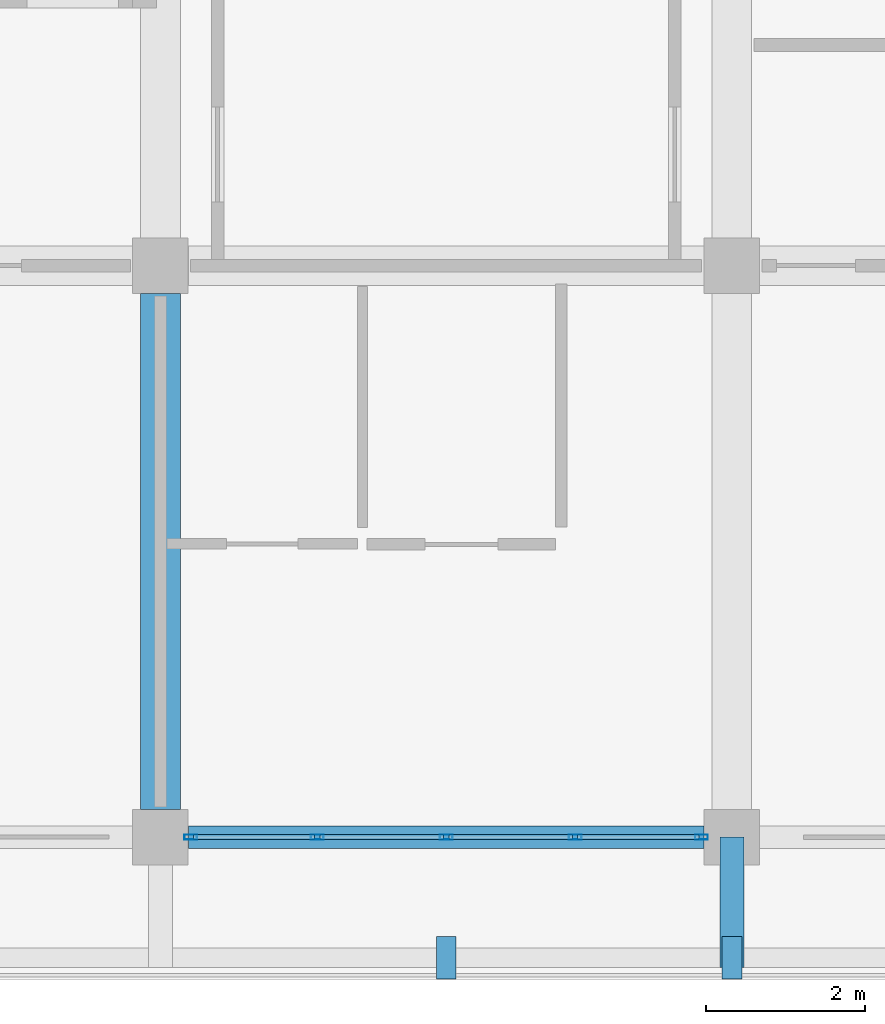
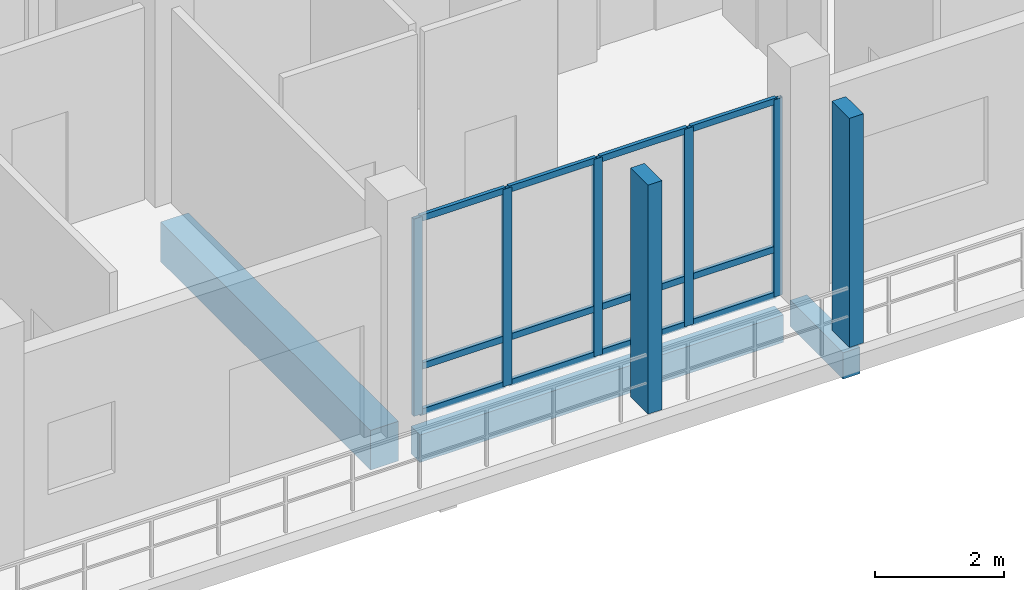
# One storey, part 46 of 110: 19 members, 3 beams, 1 element without a shape of its own.
"""IFC4 building model written with IfcOpenShell, lengths in metres."""

from ifc_helpers import new_model, si_unit, direction, frame, origin, origin_2d, place, context, subcontext, project, spatial, rectangle, hollow_rectangle, extrude, material, material_profile, profile_set, type_object, element, aggregate, save


model = new_model("IFC4")

# Units and contexts
model_context = context("Model", 3, precision=1e-05, world=origin(), true_north=direction((0.0, 1.0)))
body_context = subcontext(model_context, "Body", "Model", "MODEL_VIEW")
ifc_project = project(units=[si_unit("LENGTHUNIT", "METRE"), si_unit("AREAUNIT", "SQUARE_METRE"), si_unit("VOLUMEUNIT", "CUBIC_METRE"), si_unit("PLANEANGLEUNIT", "RADIAN"), si_unit("MASSUNIT", "GRAM", prefix="KILO")], contexts=[model_context])

# Site, building, storey
site_placement = place(None, origin())
site = spatial("IfcSite", under=ifc_project, at=site_placement, CompositionType="ELEMENT")
building_placement = place(site_placement, origin())
building = spatial("IfcBuilding", under=site, at=building_placement, Name="Suanplinth Sawtooth Commons", CompositionType="ELEMENT")
storey_placement = place(building_placement, frame((0.0, 0.0, 4.5)))
storey = spatial("IfcBuildingStorey", under=building, at=storey_placement, Name="L01", CompositionType="ELEMENT", Elevation=4.5)

# Beams
ifc_material_1 = material(Name="Concrete C40/50", Category="concrete")
ifc_material_profile_1 = material_profile(ifc_material_1, rectangle(XDim=0.5, YDim=0.75, at=origin_2d()), Name="RC-GDR 500x750")
ifc_profile_set_1 = profile_set([ifc_material_profile_1], Name="Concrete C40/50")
beam_type_1 = type_object("IfcBeamType", Name="B-03", PredefinedType="USERDEFINED", material=ifc_profile_set_1)
beam_1_placement = place(storey_placement, frame((144.0, 0.35009765625, -0.675048828125), z_axis=(0.0, 1.0, 0.0), x_axis=(-1.0, 0.0, 0.0)))
element("IfcBeam", 1, at=beam_1_placement, inside=storey, type_object=beam_type_1, Name="BMY-L01-C-20-0", ObjectType="GIRDER", PredefinedType="USERDEFINED", context=body_context, shape_type="SweptSolid", body=[
    extrude(rectangle(XDim=0.5, YDim=0.75, at=origin_2d()), origin(), (0.0, 0.0, 1.0), 6.5),
])
ifc_material_2 = material(Name="Precast concrete C40/50", Category="concrete")
ifc_material_profile_2 = material_profile(ifc_material_2, rectangle(XDim=0.300048828125, YDim=0.5, at=origin_2d()), Name="PC-BM 300x500")
ifc_profile_set_2 = profile_set([ifc_material_profile_2], Name="Precast concrete C40/50")
beam_type_2 = type_object("IfcBeamType", Name="B-07", PredefinedType="BEAM", material=ifc_profile_set_2)
beam_2_placement = place(storey_placement, frame((151.199951171875, 0.0, -0.429931640625), z_axis=(0.0, -1.0, 0.0), x_axis=(1.0, 0.0, 0.0)))
element("IfcBeam", 2, at=beam_2_placement, inside=storey, type_object=beam_type_2, Name="Balcony Outrigger L01-C-S-21", PredefinedType="BEAM", context=body_context, shape_type="SweptSolid", body=[
    extrude(rectangle(XDim=0.300048828125, YDim=0.5, at=origin_2d()), origin(), (0.0, 0.0, 1.0), 1.639892578125),
])
ifc_material_profile_3 = material_profile(ifc_material_2, rectangle(XDim=0.280029296875, YDim=0.52001953125, at=origin_2d()), Name="PC-SP 280x520")
ifc_profile_set_3 = profile_set([ifc_material_profile_3], Name="Precast concrete C40/50")
beam_type_3 = type_object("IfcBeamType", Name="B-08", PredefinedType="SPANDREL", material=ifc_profile_set_3)
beam_3_placement = place(storey_placement, frame((144.35009765625, 0.0, -0.56005859375), z_axis=(1.0, 0.0, 0.0), x_axis=(0.0, 1.0, 0.0)))
element("IfcBeam", 3, at=beam_3_placement, inside=storey, type_object=beam_type_3, Name="BMX-L01-C-20-0", PredefinedType="SPANDREL", context=body_context, shape_type="SweptSolid", body=[
    extrude(rectangle(XDim=0.280029296875, YDim=0.52001953125, at=origin_2d()), origin(), (0.0, 0.0, 1.0), 6.5),
])

# Members
ifc_material_3 = material(Name="Pigmented precast concrete C40/50", Category="concrete")
ifc_material_profile_4 = material_profile(ifc_material_3, rectangle(XDim=0.25, YDim=0.5400390625, at=origin_2d()), Name="PC-FIN 250x540")
ifc_profile_set_4 = profile_set([ifc_material_profile_4], Name="Pigmented precast concrete C40/50")
member_type_1 = type_object("IfcMemberType", Name="M-11", PredefinedType="USERDEFINED", material=ifc_profile_set_4)
for number, where, z_axis, x_axis, name in (
    (4, (147.60009765625, -1.52001953125, 0.0), (0.0, 0.0, 1.0), (1.0, 0.0, 0.0), "Upright Solar Blade L01-C-S-03"),
    (5, (151.199951171875, -1.52001953125, 0.0), (0.0, 0.0, 1.0), (1.0, 0.0, 0.0), "Upright Solar Blade L01-C-S-04"),
):
    element("IfcMember", number, at=place(storey_placement, frame(where, z_axis=z_axis, x_axis=x_axis)), inside=storey, type_object=member_type_1, Name=name, ObjectType="SHADING FIN", PredefinedType="USERDEFINED", context=body_context, shape_type="SweptSolid", body=[
        extrude(rectangle(XDim=0.25, YDim=0.5400390625, at=origin_2d()), origin(), (0.0, 0.0, 1.0), 4.330078125),
    ])

# Curtain wall, members
ifc_material_4 = material(Name="Anodized aluminium and low-E glazing", Category="aluminium")
curtain_wall_type = type_object("IfcCurtainWallType", Name="CW-06", PredefinedType="USERDEFINED", material=ifc_material_4)
curtain_wall_placement = place(storey_placement, origin())
curtain_wall = element("IfcCurtainWall", 6, at=curtain_wall_placement, inside=storey, type_object=curtain_wall_type, Name="Curtain Wall CW-L01-C-LOUNGE-20", ObjectType="CURTAIN WALL", PredefinedType="USERDEFINED")
ifc_material_5 = material(Name="Anodized aluminium 6063-T6", Category="aluminium")
ifc_material_profile_5 = material_profile(ifc_material_5, hollow_rectangle(XDim=0.06494140625, YDim=0.159912109375, WallThickness=0.00390625, at=origin_2d()), Name="ALU-MUL 65x160")
ifc_profile_set_5 = profile_set([ifc_material_profile_5], Name="Anodized aluminium 6063-T6")
member_type_2 = type_object("IfcMemberType", Name="M-13", PredefinedType="MULLION", material=ifc_profile_set_5)
member_1_placement = place(storey_placement, frame((144.382568359375, 0.0, 0.0), z_axis=(0.0, 0.0, 1.0), x_axis=(0.0, 1.0, 0.0)))
member_1 = element("IfcMember", 7, at=member_1_placement, type_object=member_type_2, Name="CW-06 mullion 1", PredefinedType="MULLION", context=body_context, shape_type="SweptSolid", body=[
    extrude(hollow_rectangle(XDim=0.06494140625, YDim=0.159912109375, WallThickness=0.00390625, at=origin_2d()), origin(), (0.0, 0.0, 1.0), 3.72998046875),
])
member_2_placement = place(storey_placement, frame((145.97509765625, 0.0, 0.0), z_axis=(0.0, 0.0, 1.0), x_axis=(0.0, 1.0, 0.0)))
member_2 = element("IfcMember", 8, at=member_2_placement, type_object=member_type_2, Name="CW-06 mullion 2", PredefinedType="MULLION", context=body_context, shape_type="SweptSolid", body=[
    extrude(hollow_rectangle(XDim=0.06494140625, YDim=0.159912109375, WallThickness=0.00390625, at=origin_2d()), origin(), (0.0, 0.0, 1.0), 3.72998046875),
])
member_3_placement = place(storey_placement, frame((147.60009765625, 0.0, 0.0), z_axis=(0.0, 0.0, 1.0), x_axis=(0.0, 1.0, 0.0)))
member_3 = element("IfcMember", 9, at=member_3_placement, type_object=member_type_2, Name="CW-06 mullion 3", PredefinedType="MULLION", context=body_context, shape_type="SweptSolid", body=[
    extrude(hollow_rectangle(XDim=0.06494140625, YDim=0.159912109375, WallThickness=0.00390625, at=origin_2d()), origin(), (0.0, 0.0, 1.0), 3.72998046875),
])
member_4_placement = place(storey_placement, frame((149.22509765625, 0.0, 0.0), z_axis=(0.0, 0.0, 1.0), x_axis=(0.0, 1.0, 0.0)))
member_4 = element("IfcMember", 10, at=member_4_placement, type_object=member_type_2, Name="CW-06 mullion 4", PredefinedType="MULLION", context=body_context, shape_type="SweptSolid", body=[
    extrude(hollow_rectangle(XDim=0.06494140625, YDim=0.159912109375, WallThickness=0.00390625, at=origin_2d()), origin(), (0.0, 0.0, 1.0), 3.72998046875),
])
member_5_placement = place(storey_placement, frame((150.8173828125, 0.0, 0.0), z_axis=(0.0, 0.0, 1.0), x_axis=(0.0, 1.0, 0.0)))
member_5 = element("IfcMember", 11, at=member_5_placement, type_object=member_type_2, Name="CW-06 mullion 5", PredefinedType="MULLION", context=body_context, shape_type="SweptSolid", body=[
    extrude(hollow_rectangle(XDim=0.06494140625, YDim=0.159912109375, WallThickness=0.00390625, at=origin_2d()), origin(), (0.0, 0.0, 1.0), 3.72998046875),
])
ifc_material_profile_6 = material_profile(ifc_material_5, hollow_rectangle(XDim=0.06494140625, YDim=0.1201171875, WallThickness=0.00390625, at=origin_2d()), Name="ALU-TRN 65x120")
ifc_profile_set_6 = profile_set([ifc_material_profile_6], Name="Anodized aluminium 6063-T6")
member_type_3 = type_object("IfcMemberType", Name="M-15", PredefinedType="USERDEFINED", material=ifc_profile_set_6)
member_6_placement = place(storey_placement, frame((144.4150390625, 0.0, 0.032470703125), z_axis=(1.0, 0.0, 0.0), x_axis=(0.0, 1.0, 0.0)))
member_6 = element("IfcMember", 12, at=member_6_placement, type_object=member_type_3, Name="CW-06 transom 1.1", ObjectType="TRANSOM", PredefinedType="USERDEFINED", context=body_context, shape_type="SweptSolid", body=[
    extrude(hollow_rectangle(XDim=0.06494140625, YDim=0.1201171875, WallThickness=0.00390625, at=origin_2d()), origin(), (0.0, 0.0, 1.0), 1.52734375),
])
member_7_placement = place(storey_placement, frame((144.4150390625, 0.0, 0.89990234375), z_axis=(1.0, 0.0, 0.0), x_axis=(0.0, 1.0, 0.0)))
member_7 = element("IfcMember", 13, at=member_7_placement, type_object=member_type_3, Name="CW-06 transom 1.2", ObjectType="TRANSOM", PredefinedType="USERDEFINED", context=body_context, shape_type="SweptSolid", body=[
    extrude(hollow_rectangle(XDim=0.06494140625, YDim=0.1201171875, WallThickness=0.00390625, at=origin_2d()), origin(), (0.0, 0.0, 1.0), 1.52734375),
])
member_8_placement = place(storey_placement, frame((144.4150390625, 0.0, 3.697509765625), z_axis=(1.0, 0.0, 0.0), x_axis=(0.0, 1.0, 0.0)))
member_8 = element("IfcMember", 14, at=member_8_placement, type_object=member_type_3, Name="CW-06 transom 1.3", ObjectType="TRANSOM", PredefinedType="USERDEFINED", context=body_context, shape_type="SweptSolid", body=[
    extrude(hollow_rectangle(XDim=0.06494140625, YDim=0.1201171875, WallThickness=0.00390625, at=origin_2d()), origin(), (0.0, 0.0, 1.0), 1.52734375),
])
member_9_placement = place(storey_placement, frame((146.007568359375, 0.0, 0.032470703125), z_axis=(1.0, 0.0, 0.0), x_axis=(0.0, 1.0, 0.0)))
member_9 = element("IfcMember", 15, at=member_9_placement, type_object=member_type_3, Name="CW-06 transom 2.1", ObjectType="TRANSOM", PredefinedType="USERDEFINED", context=body_context, shape_type="SweptSolid", body=[
    extrude(hollow_rectangle(XDim=0.06494140625, YDim=0.1201171875, WallThickness=0.00390625, at=origin_2d()), origin(), (0.0, 0.0, 1.0), 1.559814453125),
])
member_10_placement = place(storey_placement, frame((146.007568359375, 0.0, 0.89990234375), z_axis=(1.0, 0.0, 0.0), x_axis=(0.0, 1.0, 0.0)))
member_10 = element("IfcMember", 16, at=member_10_placement, type_object=member_type_3, Name="CW-06 transom 2.2", ObjectType="TRANSOM", PredefinedType="USERDEFINED", context=body_context, shape_type="SweptSolid", body=[
    extrude(hollow_rectangle(XDim=0.06494140625, YDim=0.1201171875, WallThickness=0.00390625, at=origin_2d()), origin(), (0.0, 0.0, 1.0), 1.559814453125),
])
member_11_placement = place(storey_placement, frame((146.007568359375, 0.0, 3.697509765625), z_axis=(1.0, 0.0, 0.0), x_axis=(0.0, 1.0, 0.0)))
member_11 = element("IfcMember", 17, at=member_11_placement, type_object=member_type_3, Name="CW-06 transom 2.3", ObjectType="TRANSOM", PredefinedType="USERDEFINED", context=body_context, shape_type="SweptSolid", body=[
    extrude(hollow_rectangle(XDim=0.06494140625, YDim=0.1201171875, WallThickness=0.00390625, at=origin_2d()), origin(), (0.0, 0.0, 1.0), 1.559814453125),
])
member_12_placement = place(storey_placement, frame((147.632568359375, 0.0, 0.032470703125), z_axis=(1.0, 0.0, 0.0), x_axis=(0.0, 1.0, 0.0)))
member_12 = element("IfcMember", 18, at=member_12_placement, type_object=member_type_3, Name="CW-06 transom 3.1", ObjectType="TRANSOM", PredefinedType="USERDEFINED", context=body_context, shape_type="SweptSolid", body=[
    extrude(hollow_rectangle(XDim=0.06494140625, YDim=0.1201171875, WallThickness=0.00390625, at=origin_2d()), origin(), (0.0, 0.0, 1.0), 1.559814453125),
])
member_13_placement = place(storey_placement, frame((147.632568359375, 0.0, 0.89990234375), z_axis=(1.0, 0.0, 0.0), x_axis=(0.0, 1.0, 0.0)))
member_13 = element("IfcMember", 19, at=member_13_placement, type_object=member_type_3, Name="CW-06 transom 3.2", ObjectType="TRANSOM", PredefinedType="USERDEFINED", context=body_context, shape_type="SweptSolid", body=[
    extrude(hollow_rectangle(XDim=0.06494140625, YDim=0.1201171875, WallThickness=0.00390625, at=origin_2d()), origin(), (0.0, 0.0, 1.0), 1.559814453125),
])
member_14_placement = place(storey_placement, frame((147.632568359375, 0.0, 3.697509765625), z_axis=(1.0, 0.0, 0.0), x_axis=(0.0, 1.0, 0.0)))
member_14 = element("IfcMember", 20, at=member_14_placement, type_object=member_type_3, Name="CW-06 transom 3.3", ObjectType="TRANSOM", PredefinedType="USERDEFINED", context=body_context, shape_type="SweptSolid", body=[
    extrude(hollow_rectangle(XDim=0.06494140625, YDim=0.1201171875, WallThickness=0.00390625, at=origin_2d()), origin(), (0.0, 0.0, 1.0), 1.559814453125),
])
member_15_placement = place(storey_placement, frame((149.257568359375, 0.0, 0.032470703125), z_axis=(1.0, 0.0, 0.0), x_axis=(0.0, 1.0, 0.0)))
member_15 = element("IfcMember", 21, at=member_15_placement, type_object=member_type_3, Name="CW-06 transom 4.1", ObjectType="TRANSOM", PredefinedType="USERDEFINED", context=body_context, shape_type="SweptSolid", body=[
    extrude(hollow_rectangle(XDim=0.06494140625, YDim=0.1201171875, WallThickness=0.00390625, at=origin_2d()), origin(), (0.0, 0.0, 1.0), 1.52734375),
])
member_16_placement = place(storey_placement, frame((149.257568359375, 0.0, 0.89990234375), z_axis=(1.0, 0.0, 0.0), x_axis=(0.0, 1.0, 0.0)))
member_16 = element("IfcMember", 22, at=member_16_placement, type_object=member_type_3, Name="CW-06 transom 4.2", ObjectType="TRANSOM", PredefinedType="USERDEFINED", context=body_context, shape_type="SweptSolid", body=[
    extrude(hollow_rectangle(XDim=0.06494140625, YDim=0.1201171875, WallThickness=0.00390625, at=origin_2d()), origin(), (0.0, 0.0, 1.0), 1.52734375),
])
member_17_placement = place(storey_placement, frame((149.257568359375, 0.0, 3.697509765625), z_axis=(1.0, 0.0, 0.0), x_axis=(0.0, 1.0, 0.0)))
member_17 = element("IfcMember", 23, at=member_17_placement, type_object=member_type_3, Name="CW-06 transom 4.3", ObjectType="TRANSOM", PredefinedType="USERDEFINED", context=body_context, shape_type="SweptSolid", body=[
    extrude(hollow_rectangle(XDim=0.06494140625, YDim=0.1201171875, WallThickness=0.00390625, at=origin_2d()), origin(), (0.0, 0.0, 1.0), 1.52734375),
])
aggregate(curtain_wall, [member_1, member_2, member_3, member_4, member_5, member_6, member_7, member_8, member_9, member_10, member_11, member_12, member_13, member_14, member_15, member_16, member_17])

save(model, "model.ifc")
